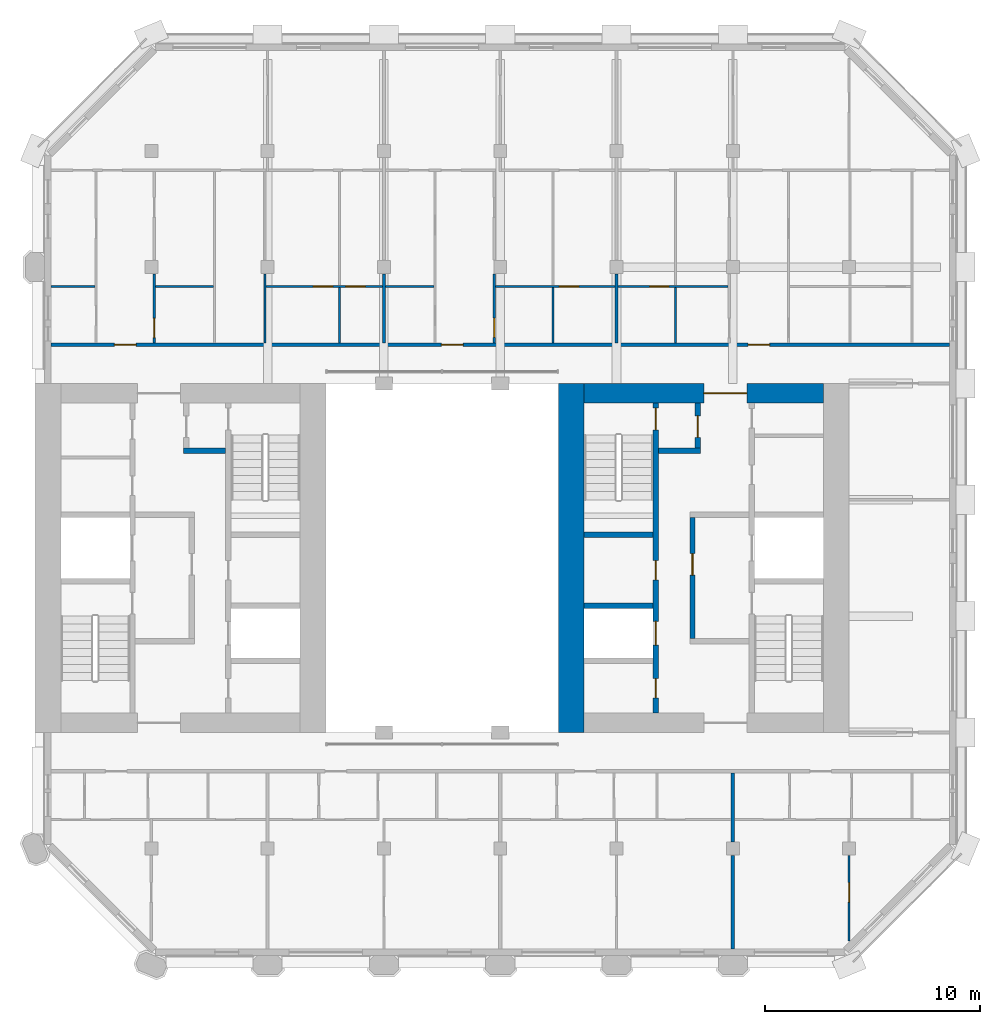
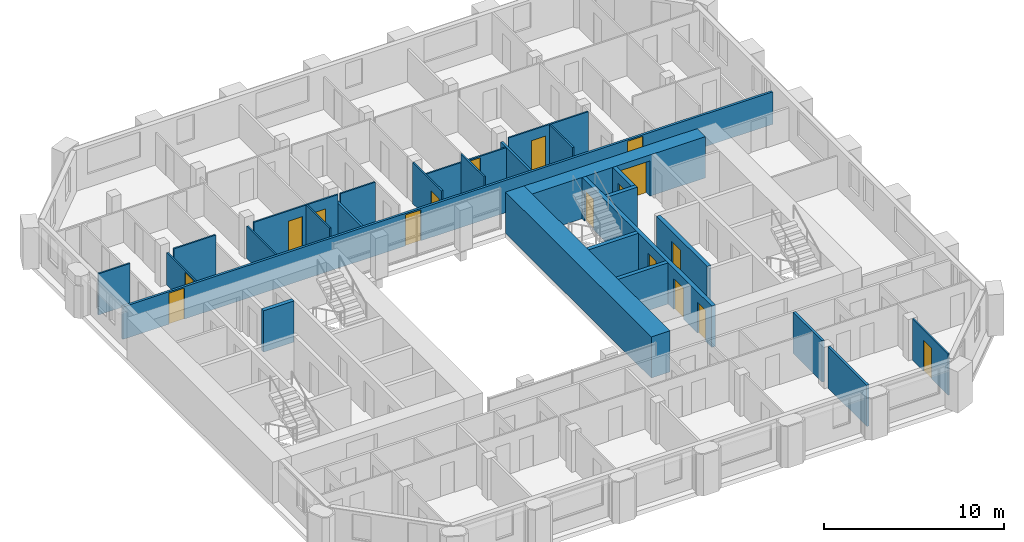
# One storey, part 6 of 13: 27 walls, 17 doors, 17 openings.
"""IFC4 building model written with IfcOpenShell, lengths in metres."""

from ifc_helpers import new_model, si_unit, direction, frame, frame_2d, origin, place, context, subcontext, project, spatial, rectangle, extrude, material, layer, layer_set, type_object, element, fill, save


model = new_model("IFC4")

# Units and contexts
model_context = context("Model", 3, precision=1e-05, world=origin(), true_north=direction((0.0, 1.0)))
body_context = subcontext(model_context, "Body", "Model", "MODEL_VIEW")
ifc_project = project(units=[si_unit("LENGTHUNIT", "METRE"), si_unit("AREAUNIT", "SQUARE_METRE"), si_unit("VOLUMEUNIT", "CUBIC_METRE"), si_unit("PLANEANGLEUNIT", "RADIAN"), si_unit("MASSUNIT", "GRAM", prefix="KILO")], contexts=[model_context])

# Site, building, storey
site_placement = place(None, origin())
site = spatial("IfcSite", under=ifc_project, at=site_placement, CompositionType="ELEMENT")
building_placement = place(site_placement, origin())
building = spatial("IfcBuilding", under=site, at=building_placement, Name="Tabaq Tower and Sports Hall", CompositionType="ELEMENT")
storey_placement = place(building_placement, frame((0.0, 0.0, 304.89990234375)))
storey = spatial("IfcBuildingStorey", under=building, at=storey_placement, Name="L76", CompositionType="ELEMENT", Elevation=304.89990234375)

# Wall
ifc_material_1 = material(Name="Concrete C40/50", Category="concrete")
ifc_layer_1 = layer(ifc_material_1, 1.199951171875)
ifc_layer_set_1 = layer_set([ifc_layer_1], Name="Core wall 1200 Concrete C40/50")
wall_type_1 = type_object("IfcWallType", Name="Core wall 1200 Concrete C40/50", PredefinedType="SOLIDWALL", material=ifc_layer_set_1)
wall_1_placement = place(storey_placement, frame((30.300048828125, 16.199951171875, 0.0), z_axis=(0.0, 0.0, 1.0), x_axis=(0.0, 1.0, 0.0)))
element("IfcWall", 1, at=wall_1_placement, inside=storey, type_object=wall_type_1, Name="Core wall E L76", PredefinedType="SOLIDWALL", context=body_context, shape_type="SweptSolid", body=[
    extrude(rectangle(XDim=16.199951171875, YDim=1.199951171875, at=frame_2d((8.10009765625, 0.0))), origin(), (0.0, 0.0, 1.0), 2.800048828125),
])

# Wall, opening, door
ifc_material_2 = material(Name="Concrete C40/50", Category="concrete")
ifc_layer_2 = layer(ifc_material_2, 0.89990234375)
ifc_layer_set_2 = layer_set([ifc_layer_2], Name="Core wall 900 Concrete C40/50")
wall_type_2 = type_object("IfcWallType", Name="Core wall 900 Concrete C40/50", PredefinedType="SOLIDWALL", material=ifc_layer_set_2)
wall_2_placement = place(storey_placement, frame((30.89990234375, 31.949951171875, 0.0), z_axis=(0.0, 0.0, 1.0), x_axis=(1.0, 0.0, 0.0)))
wall_2 = element("IfcWall", 2, at=wall_2_placement, inside=storey, type_object=wall_type_2, Name="Core wall E L76", PredefinedType="SOLIDWALL", context=body_context, shape_type="SweptSolid", body=[
    extrude(rectangle(XDim=11.10009765625, YDim=0.89990234375, at=frame_2d((5.550048828125, 0.0))), origin(), (0.0, 0.0, 1.0), 2.800048828125),
])
opening_1_placement = place(wall_2_placement, frame((5.550048828125, 0.0, 0.0)))
opening_1 = element("IfcOpeningElement", 3, at=opening_1_placement, cuts=wall_2, Name="Opening PD-EL76-02", PredefinedType="OPENING", context=body_context, shape_type="SweptSolid", body=[
    extrude(rectangle(XDim=2.0, YDim=2.39990234375, at=frame_2d((1.0, 1.199951171875))), frame((0.0, 0.449951171875, 0.0), z_axis=(0.0, -1.0, 0.0), x_axis=(1.0, 0.0, 0.0)), (0.0, 0.0, 1.0), 0.89990234375),
])
ifc_material_3 = material(Name="Steel fire door", Category="steel")
door_type_1 = type_object("IfcDoorType", Name="Core entrance door 2000", OperationType="DOUBLE_DOOR_SINGLE_SWING", PredefinedType="DOOR", material=ifc_material_3)
door_1_placement = place(opening_1_placement, origin())
door_1 = element("IfcDoor", 4, at=door_1_placement, inside=storey, type_object=door_type_1, Name="Core entrance north E L76", OperationType="DOUBLE_DOOR_SINGLE_SWING", OverallHeight=2.39990234375, OverallWidth=2.0, PredefinedType="DOOR", context=body_context, shape_type="SweptSolid", body=[
    extrude(rectangle(XDim=2.0, YDim=2.39990234375, at=frame_2d((1.0, 1.199951171875))), frame((0.0, 0.02490234375, 0.0), z_axis=(0.0, -1.0, 0.0), x_axis=(1.0, 0.0, 0.0)), (0.0, 0.0, 1.0), 0.050048828125),
])
fill(opening_1, door_1)

# Wall
ifc_material_4 = material(Name="Gypsum board on steel studs", Category="steel")
ifc_layer_3 = layer(ifc_material_4, 0.10009765625)
ifc_layer_set_3 = layer_set([ifc_layer_3], Name="Partition 100 Gypsum board")
wall_type_3 = type_object("IfcWallType", Name="Partition 100 Gypsum board", PredefinedType="PARTITIONING", material=ifc_layer_set_3)
wall_3_placement = place(storey_placement, frame((6.15087890625, 36.89990234375, 0.0), z_axis=(0.0, 0.0, 1.0), x_axis=(1.0, 0.0, 0.0)))
element("IfcWall", 5, at=wall_3_placement, inside=storey, type_object=wall_type_3, Name="Partition wall L76", PredefinedType="PARTITIONING", context=body_context, shape_type="SweptSolid", body=[
    extrude(rectangle(XDim=2.0390625, YDim=0.10009765625, at=frame_2d((1.01953125, 0.0))), origin(), (0.0, 0.0, 1.0), 2.800048828125),
])

# Wall, opening, door
wall_4_placement = place(storey_placement, frame((10.93994140625, 34.27490234375, 0.0), z_axis=(0.0, 0.0, 1.0), x_axis=(0.0, 1.0, 0.0)))
wall_4 = element("IfcWall", 6, at=wall_4_placement, inside=storey, type_object=wall_type_3, Name="Partition wall L76", PredefinedType="PARTITIONING", context=body_context, shape_type="SweptSolid", body=[
    extrude(rectangle(XDim=3.205078125, YDim=0.10009765625, at=frame_2d((1.6025390625, 0.0))), origin(), (0.0, 0.0, 1.0), 2.2001953125),
])
opening_2_placement = place(wall_4_placement, frame((0.25, 0.0, 0.0)))
opening_2 = element("IfcOpeningElement", 7, at=opening_2_placement, cuts=wall_4, Name="Opening L76-004", PredefinedType="OPENING", context=body_context, shape_type="SweptSolid", body=[
    extrude(rectangle(XDim=0.89990234375, YDim=2.10009765625, at=frame_2d((0.449951171875, 1.050048828125))), frame((0.0, 0.050048828125, 0.0), z_axis=(0.0, -1.0, 0.0), x_axis=(1.0, 0.0, 0.0)), (0.0, 0.0, 1.0), 0.10009765625),
])
ifc_material_5 = material(Name="Timber leaf in steel frame", Category="steel")
door_type_2 = type_object("IfcDoorType", Name="Internal door 900 right hand", OperationType="SINGLE_SWING_RIGHT", PredefinedType="DOOR", material=ifc_material_5)
door_2_placement = place(opening_2_placement, origin())
door_2 = element("IfcDoor", 8, at=door_2_placement, inside=storey, type_object=door_type_2, Name="Internal door L76-004", OperationType="SINGLE_SWING_RIGHT", OverallHeight=2.10009765625, OverallWidth=0.89990234375, PredefinedType="DOOR", context=body_context, shape_type="SweptSolid", body=[
    extrude(rectangle(XDim=0.89990234375, YDim=2.10009765625, at=frame_2d((0.449951171875, 1.050048828125))), frame((0.0, 0.02490234375, 0.0), z_axis=(0.0, -1.0, 0.0), x_axis=(1.0, 0.0, 0.0)), (0.0, 0.0, 1.0), 0.050048828125),
])
fill(opening_2, door_2)

# Walls
wall_5_placement = place(storey_placement, frame((10.989990234375, 36.89990234375, 0.0), z_axis=(0.0, 0.0, 1.0), x_axis=(1.0, 0.0, 0.0)))
element("IfcWall", 9, at=wall_5_placement, inside=storey, type_object=wall_type_3, Name="Partition wall L76", PredefinedType="PARTITIONING", context=body_context, shape_type="SweptSolid", body=[
    extrude(rectangle(XDim=2.699951171875, YDim=0.10009765625, at=frame_2d((1.35009765625, 0.0))), origin(), (0.0, 0.0, 1.0), 2.800048828125),
])
wall_6_placement = place(storey_placement, frame((16.080078125, 34.27490234375, 0.0), z_axis=(0.0, 0.0, 1.0), x_axis=(0.0, 1.0, 0.0)))
element("IfcWall", 10, at=wall_6_placement, inside=storey, type_object=wall_type_3, Name="Partition wall L76", PredefinedType="PARTITIONING", context=body_context, shape_type="SweptSolid", body=[
    extrude(rectangle(XDim=3.205078125, YDim=0.10009765625, at=frame_2d((1.6025390625, 0.0))), origin(), (0.0, 0.0, 1.0), 2.2001953125),
])
wall_7_placement = place(storey_placement, frame((19.530029296875, 34.27490234375, 0.0), z_axis=(0.0, 0.0, 1.0), x_axis=(0.0, 1.0, 0.0)))
element("IfcWall", 11, at=wall_7_placement, inside=storey, type_object=wall_type_3, Name="Partition wall L76", PredefinedType="PARTITIONING", context=body_context, shape_type="SweptSolid", body=[
    extrude(rectangle(XDim=2.5751953125, YDim=0.10009765625, at=frame_2d((1.28759765625, 0.0))), origin(), (0.0, 0.0, 1.0), 2.800048828125),
])

# Wall, openings, doors
wall_8_placement = place(storey_placement, frame((16.1298828125, 36.89990234375, 0.0), z_axis=(0.0, 0.0, 1.0), x_axis=(1.0, 0.0, 0.0)))
wall_8 = element("IfcWall", 12, at=wall_8_placement, inside=storey, type_object=wall_type_3, Name="Partition wall L76", PredefinedType="PARTITIONING", context=body_context, shape_type="SweptSolid", body=[
    extrude(rectangle(XDim=5.39501953125, YDim=0.10009765625, at=frame_2d((2.697509765625, 0.0))), origin(), (0.0, 0.0, 1.0), 2.800048828125),
])
opening_3_placement = place(wall_8_placement, frame((2.199951171875, 0.0, 0.0)))
opening_3 = element("IfcOpeningElement", 13, at=opening_3_placement, cuts=wall_8, Name="Opening L76-005", PredefinedType="OPENING", context=body_context, shape_type="SweptSolid", body=[
    extrude(rectangle(XDim=0.89990234375, YDim=2.10009765625, at=frame_2d((0.449951171875, 1.050048828125))), frame((0.0, 0.050048828125, 0.0), z_axis=(0.0, -1.0, 0.0), x_axis=(1.0, 0.0, 0.0)), (0.0, 0.0, 1.0), 0.10009765625),
])
opening_4_placement = place(wall_8_placement, frame((3.699951171875, 0.0, 0.0)))
opening_4 = element("IfcOpeningElement", 14, at=opening_4_placement, cuts=wall_8, Name="Opening L76-006", PredefinedType="OPENING", context=body_context, shape_type="SweptSolid", body=[
    extrude(rectangle(XDim=0.89990234375, YDim=2.10009765625, at=frame_2d((0.449951171875, 1.050048828125))), frame((0.0, 0.050048828125, 0.0), z_axis=(0.0, -1.0, 0.0), x_axis=(1.0, 0.0, 0.0)), (0.0, 0.0, 1.0), 0.10009765625),
])
ifc_material_6 = material(Name="Timber leaf in steel frame", Category="steel")
door_type_3 = type_object("IfcDoorType", Name="Internal door 900 left hand", OperationType="SINGLE_SWING_LEFT", PredefinedType="DOOR", material=ifc_material_6)
door_3_placement = place(opening_3_placement, origin())
door_3 = element("IfcDoor", 15, at=door_3_placement, inside=storey, type_object=door_type_3, Name="Internal door L76-005", OperationType="SINGLE_SWING_LEFT", OverallHeight=2.10009765625, OverallWidth=0.89990234375, PredefinedType="DOOR", context=body_context, shape_type="SweptSolid", body=[
    extrude(rectangle(XDim=0.89990234375, YDim=2.10009765625, at=frame_2d((0.449951171875, 1.050048828125))), frame((0.0, 0.02490234375, 0.0), z_axis=(0.0, -1.0, 0.0), x_axis=(1.0, 0.0, 0.0)), (0.0, 0.0, 1.0), 0.050048828125),
])
fill(opening_3, door_3)
door_4_placement = place(opening_4_placement, origin())
door_4 = element("IfcDoor", 16, at=door_4_placement, inside=storey, type_object=door_type_3, Name="Internal door L76-006", OperationType="SINGLE_SWING_LEFT", OverallHeight=2.10009765625, OverallWidth=0.89990234375, PredefinedType="DOOR", context=body_context, shape_type="SweptSolid", body=[
    extrude(rectangle(XDim=0.89990234375, YDim=2.10009765625, at=frame_2d((0.449951171875, 1.050048828125))), frame((0.0, 0.02490234375, 0.0), z_axis=(0.0, -1.0, 0.0), x_axis=(1.0, 0.0, 0.0)), (0.0, 0.0, 1.0), 0.050048828125),
])
fill(opening_4, door_4)

# Wall
wall_9_placement = place(storey_placement, frame((21.675048828125, 36.89990234375, 0.0), z_axis=(0.0, 0.0, 1.0), x_axis=(1.0, 0.0, 0.0)))
element("IfcWall", 17, at=wall_9_placement, inside=storey, type_object=wall_type_3, Name="Partition wall L76", PredefinedType="PARTITIONING", context=body_context, shape_type="SweptSolid", body=[
    extrude(rectangle(XDim=2.2470703125, YDim=0.10009765625, at=frame_2d((1.12353515625, 0.0))), origin(), (0.0, 0.0, 1.0), 2.800048828125),
])

# Wall, opening, door
wall_10_placement = place(storey_placement, frame((26.721923828125, 34.27490234375, 0.0), z_axis=(0.0, 0.0, 1.0), x_axis=(0.0, 1.0, 0.0)))
wall_10 = element("IfcWall", 18, at=wall_10_placement, inside=storey, type_object=wall_type_3, Name="Partition wall L76", PredefinedType="PARTITIONING", context=body_context, shape_type="SweptSolid", body=[
    extrude(rectangle(XDim=3.205078125, YDim=0.10009765625, at=frame_2d((1.6025390625, 0.0))), origin(), (0.0, 0.0, 1.0), 2.800048828125),
])
opening_5_placement = place(wall_10_placement, frame((0.262451171875, 0.0, 0.0)))
opening_5 = element("IfcOpeningElement", 19, at=opening_5_placement, cuts=wall_10, Name="Opening L76-009", PredefinedType="OPENING", context=body_context, shape_type="SweptSolid", body=[
    extrude(rectangle(XDim=0.89990234375, YDim=2.10009765625, at=frame_2d((0.449951171875, 1.050048828125))), frame((0.0, 0.050048828125, 0.0), z_axis=(0.0, -1.0, 0.0), x_axis=(1.0, 0.0, 0.0)), (0.0, 0.0, 1.0), 0.10009765625),
])
door_5_placement = place(opening_5_placement, origin())
door_5 = element("IfcDoor", 20, at=door_5_placement, inside=storey, type_object=door_type_3, Name="Internal door L76-009", OperationType="SINGLE_SWING_LEFT", OverallHeight=2.10009765625, OverallWidth=0.89990234375, PredefinedType="DOOR", context=body_context, shape_type="SweptSolid", body=[
    extrude(rectangle(XDim=0.89990234375, YDim=2.10009765625, at=frame_2d((0.449951171875, 1.050048828125))), frame((0.0, 0.02490234375, 0.0), z_axis=(0.0, -1.0, 0.0), x_axis=(1.0, 0.0, 0.0)), (0.0, 0.0, 1.0), 0.050048828125),
])
fill(opening_5, door_5)

# Wall
wall_11_placement = place(storey_placement, frame((29.449951171875, 34.27490234375, 0.0), z_axis=(0.0, 0.0, 1.0), x_axis=(0.0, 1.0, 0.0)))
element("IfcWall", 21, at=wall_11_placement, inside=storey, type_object=wall_type_3, Name="Partition wall L76", PredefinedType="PARTITIONING", context=body_context, shape_type="SweptSolid", body=[
    extrude(rectangle(XDim=2.5751953125, YDim=0.10009765625, at=frame_2d((1.28759765625, 0.0))), origin(), (0.0, 0.0, 1.0), 2.800048828125),
])

# Wall, opening, door
wall_12_placement = place(storey_placement, frame((26.77197265625, 36.89990234375, 0.0), z_axis=(0.0, 0.0, 1.0), x_axis=(1.0, 0.0, 0.0)))
wall_12 = element("IfcWall", 22, at=wall_12_placement, inside=storey, type_object=wall_type_3, Name="Partition wall L76", PredefinedType="PARTITIONING", context=body_context, shape_type="SweptSolid", body=[
    extrude(rectangle(XDim=5.552978515625, YDim=0.10009765625, at=frame_2d((2.7763671875, 0.0))), origin(), (0.0, 0.0, 1.0), 2.2001953125),
])
opening_6_placement = place(wall_12_placement, frame((2.97802734375, 0.0, 0.0)))
opening_6 = element("IfcOpeningElement", 23, at=opening_6_placement, cuts=wall_12, Name="Opening L76-010", PredefinedType="OPENING", context=body_context, shape_type="SweptSolid", body=[
    extrude(rectangle(XDim=0.89990234375, YDim=2.10009765625, at=frame_2d((0.449951171875, 1.050048828125))), frame((0.0, 0.050048828125, 0.0), z_axis=(0.0, -1.0, 0.0), x_axis=(1.0, 0.0, 0.0)), (0.0, 0.0, 1.0), 0.10009765625),
])
door_6_placement = place(opening_6_placement, origin())
door_6 = element("IfcDoor", 24, at=door_6_placement, inside=storey, type_object=door_type_3, Name="Internal door L76-010", OperationType="SINGLE_SWING_LEFT", OverallHeight=2.10009765625, OverallWidth=0.89990234375, PredefinedType="DOOR", context=body_context, shape_type="SweptSolid", body=[
    extrude(rectangle(XDim=0.89990234375, YDim=2.10009765625, at=frame_2d((0.449951171875, 1.050048828125))), frame((0.0, 0.02490234375, 0.0), z_axis=(0.0, -1.0, 0.0), x_axis=(1.0, 0.0, 0.0)), (0.0, 0.0, 1.0), 0.050048828125),
])
fill(opening_6, door_6)

# Wall
wall_13_placement = place(storey_placement, frame((35.135009765625, 34.27490234375, 0.0), z_axis=(0.0, 0.0, 1.0), x_axis=(0.0, 1.0, 0.0)))
element("IfcWall", 25, at=wall_13_placement, inside=storey, type_object=wall_type_3, Name="Partition wall L76", PredefinedType="PARTITIONING", context=body_context, shape_type="SweptSolid", body=[
    extrude(rectangle(XDim=2.5751953125, YDim=0.10009765625, at=frame_2d((1.28759765625, 0.0))), origin(), (0.0, 0.0, 1.0), 2.800048828125),
])

# Wall, opening, door
wall_14_placement = place(storey_placement, frame((32.47509765625, 36.89990234375, 0.0), z_axis=(0.0, 0.0, 1.0), x_axis=(1.0, 0.0, 0.0)))
wall_14 = element("IfcWall", 26, at=wall_14_placement, inside=storey, type_object=wall_type_3, Name="Partition wall L76", PredefinedType="PARTITIONING", context=body_context, shape_type="SweptSolid", body=[
    extrude(rectangle(XDim=5.10986328125, YDim=0.10009765625, at=frame_2d((2.554931640625, 0.0))), origin(), (0.0, 0.0, 1.0), 2.800048828125),
])
opening_7_placement = place(wall_14_placement, frame((1.4599609375, 0.0, 0.0)))
opening_7 = element("IfcOpeningElement", 27, at=opening_7_placement, cuts=wall_14, Name="Opening L76-012", PredefinedType="OPENING", context=body_context, shape_type="SweptSolid", body=[
    extrude(rectangle(XDim=0.89990234375, YDim=2.10009765625, at=frame_2d((0.449951171875, 1.050048828125))), frame((0.0, 0.050048828125, 0.0), z_axis=(0.0, -1.0, 0.0), x_axis=(1.0, 0.0, 0.0)), (0.0, 0.0, 1.0), 0.10009765625),
])
door_7_placement = place(opening_7_placement, origin())
door_7 = element("IfcDoor", 28, at=door_7_placement, inside=storey, type_object=door_type_3, Name="Internal door L76-012", OperationType="SINGLE_SWING_LEFT", OverallHeight=2.10009765625, OverallWidth=0.89990234375, PredefinedType="DOOR", context=body_context, shape_type="SweptSolid", body=[
    extrude(rectangle(XDim=0.89990234375, YDim=2.10009765625, at=frame_2d((0.449951171875, 1.050048828125))), frame((0.0, 0.02490234375, 0.0), z_axis=(0.0, -1.0, 0.0), x_axis=(1.0, 0.0, 0.0)), (0.0, 0.0, 1.0), 0.050048828125),
])
fill(opening_7, door_7)

wall_15_placement = place(storey_placement, frame((43.199951171875, 6.51220703125, 0.0), z_axis=(0.0, 0.0, 1.0), x_axis=(0.0, 1.0, 0.0)))
wall_15 = element("IfcWall", 29, at=wall_15_placement, inside=storey, type_object=wall_type_3, Name="Partition wall L76", PredefinedType="PARTITIONING", context=body_context, shape_type="SweptSolid", body=[
    extrude(rectangle(XDim=3.9677734375, YDim=0.10009765625, at=frame_2d((1.98388671875, 0.0))), origin(), (0.0, 0.0, 1.0), 2.800048828125),
])
opening_8_placement = place(wall_15_placement, frame((1.81298828125, 0.0, 0.0)))
opening_8 = element("IfcOpeningElement", 30, at=opening_8_placement, cuts=wall_15, Name="Opening L76-048", PredefinedType="OPENING", context=body_context, shape_type="SweptSolid", body=[
    extrude(rectangle(XDim=0.89990234375, YDim=2.10009765625, at=frame_2d((0.449951171875, 1.050048828125))), frame((0.0, 0.050048828125, 0.0), z_axis=(0.0, -1.0, 0.0), x_axis=(1.0, 0.0, 0.0)), (0.0, 0.0, 1.0), 0.10009765625),
])
door_8_placement = place(opening_8_placement, origin())
door_8 = element("IfcDoor", 31, at=door_8_placement, inside=storey, type_object=door_type_3, Name="Internal door L76-048", OperationType="SINGLE_SWING_LEFT", OverallHeight=2.10009765625, OverallWidth=0.89990234375, PredefinedType="DOOR", context=body_context, shape_type="SweptSolid", body=[
    extrude(rectangle(XDim=0.89990234375, YDim=2.10009765625, at=frame_2d((0.449951171875, 1.050048828125))), frame((0.0, 0.02490234375, 0.0), z_axis=(0.0, -1.0, 0.0), x_axis=(1.0, 0.0, 0.0)), (0.0, 0.0, 1.0), 0.050048828125),
])
fill(opening_8, door_8)

# Walls
ifc_material_7 = material(Name="Blockwork", Category="masonry")
ifc_layer_4 = layer(ifc_material_7, 0.14990234375)
ifc_layer_set_4 = layer_set([ifc_layer_4], Name="Separating wall 150 Blockwork")
wall_type_4 = type_object("IfcWallType", Name="Separating wall 150 Blockwork", PredefinedType="PARTITIONING", material=ifc_layer_set_4)
for number, where, z_axis, x_axis, name in (
    (32, (21.60009765625, 34.27490234375, 0.0), (0.0, 0.0, 1.0), (0.0, 1.0, 0.0), "Separating wall L76"),
    (33, (32.39990234375, 34.27490234375, 0.0), (0.0, 0.0, 1.0), (0.0, 1.0, 0.0), "Separating wall L76"),
):
    element("IfcWall", number, at=place(storey_placement, frame(where, z_axis=z_axis, x_axis=x_axis)), inside=storey, type_object=wall_type_4, Name=name, PredefinedType="PARTITIONING", context=body_context, shape_type="SweptSolid", body=[
        extrude(rectangle(XDim=3.205078125, YDim=0.14990234375, at=frame_2d((1.6025390625, 0.0))), origin(), (0.0, 0.0, 1.0), 2.2001953125),
    ])

# Wall, openings, doors
wall_16_placement = place(storey_placement, frame((6.15087890625, 34.199951171875, 0.0), z_axis=(0.0, 0.0, 1.0), x_axis=(1.0, 0.0, 0.0)))
wall_16 = element("IfcWall", 34, at=wall_16_placement, inside=storey, type_object=wall_type_4, Name="Separating wall L76", PredefinedType="PARTITIONING", context=body_context, shape_type="SweptSolid", body=[
    extrude(rectangle(XDim=41.6982421875, YDim=0.14990234375, at=frame_2d((20.84912109375, 0.0))), origin(), (0.0, 0.0, 1.0), 2.2001953125),
])
opening_9_placement = place(wall_16_placement, frame((2.93896484375, 0.0, 0.0)))
opening_9 = element("IfcOpeningElement", 35, at=opening_9_placement, cuts=wall_16, Name="Opening L76-064", PredefinedType="OPENING", context=body_context, shape_type="SweptSolid", body=[
    extrude(rectangle(XDim=1.0, YDim=2.10009765625, at=frame_2d((0.5, 1.050048828125))), frame((0.0, 0.074951171875, 0.0), z_axis=(0.0, -1.0, 0.0), x_axis=(1.0, 0.0, 0.0)), (0.0, 0.0, 1.0), 0.14990234375),
])
opening_10_placement = place(wall_16_placement, frame((18.12109375, 0.0, 0.0)))
opening_10 = element("IfcOpeningElement", 36, at=opening_10_placement, cuts=wall_16, Name="Opening L76-065", PredefinedType="OPENING", context=body_context, shape_type="SweptSolid", body=[
    extrude(rectangle(XDim=1.0, YDim=2.10009765625, at=frame_2d((0.5, 1.050048828125))), frame((0.0, 0.074951171875, 0.0), z_axis=(0.0, -1.0, 0.0), x_axis=(1.0, 0.0, 0.0)), (0.0, 0.0, 1.0), 0.14990234375),
])
opening_11_placement = place(wall_16_placement, frame((32.35888671875, 0.0, 0.0)))
opening_11 = element("IfcOpeningElement", 37, at=opening_11_placement, cuts=wall_16, Name="Opening L76-066", PredefinedType="OPENING", context=body_context, shape_type="SweptSolid", body=[
    extrude(rectangle(XDim=1.0, YDim=2.10009765625, at=frame_2d((0.5, 1.050048828125))), frame((0.0, 0.074951171875, 0.0), z_axis=(0.0, -1.0, 0.0), x_axis=(1.0, 0.0, 0.0)), (0.0, 0.0, 1.0), 0.14990234375),
])
ifc_material_8 = material(Name="Steel fire door", Category="steel")
door_type_4 = type_object("IfcDoorType", Name="Entrance door 1000 left hand", OperationType="SINGLE_SWING_LEFT", PredefinedType="DOOR", material=ifc_material_8)
door_9_placement = place(opening_9_placement, origin())
door_9 = element("IfcDoor", 38, at=door_9_placement, inside=storey, type_object=door_type_4, Name="Entrance door L76-064", OperationType="SINGLE_SWING_LEFT", OverallHeight=2.10009765625, OverallWidth=1.0, PredefinedType="DOOR", context=body_context, shape_type="SweptSolid", body=[
    extrude(rectangle(XDim=1.0, YDim=2.10009765625, at=frame_2d((0.5, 1.050048828125))), frame((0.0, 0.02490234375, 0.0), z_axis=(0.0, -1.0, 0.0), x_axis=(1.0, 0.0, 0.0)), (0.0, 0.0, 1.0), 0.050048828125),
])
fill(opening_9, door_9)
door_10_placement = place(opening_10_placement, origin())
door_10 = element("IfcDoor", 39, at=door_10_placement, inside=storey, type_object=door_type_4, Name="Entrance door L76-065", OperationType="SINGLE_SWING_LEFT", OverallHeight=2.10009765625, OverallWidth=1.0, PredefinedType="DOOR", context=body_context, shape_type="SweptSolid", body=[
    extrude(rectangle(XDim=1.0, YDim=2.10009765625, at=frame_2d((0.5, 1.050048828125))), frame((0.0, 0.02490234375, 0.0), z_axis=(0.0, -1.0, 0.0), x_axis=(1.0, 0.0, 0.0)), (0.0, 0.0, 1.0), 0.050048828125),
])
fill(opening_10, door_10)
door_11_placement = place(opening_11_placement, origin())
door_11 = element("IfcDoor", 40, at=door_11_placement, inside=storey, type_object=door_type_4, Name="Entrance door L76-066", OperationType="SINGLE_SWING_LEFT", OverallHeight=2.10009765625, OverallWidth=1.0, PredefinedType="DOOR", context=body_context, shape_type="SweptSolid", body=[
    extrude(rectangle(XDim=1.0, YDim=2.10009765625, at=frame_2d((0.5, 1.050048828125))), frame((0.0, 0.02490234375, 0.0), z_axis=(0.0, -1.0, 0.0), x_axis=(1.0, 0.0, 0.0)), (0.0, 0.0, 1.0), 0.050048828125),
])
fill(opening_11, door_11)

# Walls
wall_17_placement = place(storey_placement, frame((37.800048828125, 6.15087890625, 0.0), z_axis=(0.0, 0.0, 1.0), x_axis=(0.0, 1.0, 0.0)))
element("IfcWall", 41, at=wall_17_placement, inside=storey, type_object=wall_type_4, Name="Separating wall L76", PredefinedType="PARTITIONING", context=body_context, shape_type="SweptSolid", body=[
    extrude(rectangle(XDim=4.3291015625, YDim=0.14990234375, at=frame_2d((2.16455078125, 0.0))), origin(), (0.0, 0.0, 1.0), 2.800048828125),
])
wall_18_placement = place(storey_placement, frame((37.800048828125, 11.1201171875, 0.0), z_axis=(0.0, 0.0, 1.0), x_axis=(0.0, 1.0, 0.0)))
element("IfcWall", 42, at=wall_18_placement, inside=storey, type_object=wall_type_4, Name="Separating wall L76", PredefinedType="PARTITIONING", context=body_context, shape_type="SweptSolid", body=[
    extrude(rectangle(XDim=3.204833984375, YDim=0.14990234375, at=frame_2d((1.6025390625, 0.0))), origin(), (0.0, 0.0, 1.0), 2.800048828125),
])
ifc_material_9 = material(Name="Concrete C40/50", Category="concrete")
ifc_layer_5 = layer(ifc_material_9, 0.25)
ifc_layer_set_5 = layer_set([ifc_layer_5], Name="Shaft and stair wall 250 Concrete C40/50")
wall_type_5 = type_object("IfcWallType", Name="Shaft and stair wall 250 Concrete C40/50", PredefinedType="SOLIDWALL", material=ifc_layer_set_5)
wall_19_placement = place(storey_placement, frame((12.300048828125, 29.27490234375, 0.0), z_axis=(0.0, 0.0, 1.0), x_axis=(1.0, 0.0, 0.0)))
element("IfcWall", 43, at=wall_19_placement, inside=storey, type_object=wall_type_5, Name="Fire-fighting lobby wall W L76", PredefinedType="SOLIDWALL", context=body_context, shape_type="SweptSolid", body=[
    extrude(rectangle(XDim=1.949951171875, YDim=0.25, at=frame_2d((0.97509765625, 0.0))), origin(), (0.0, 0.0, 1.0), 2.800048828125),
])

# Wall, openings, doors
wall_20_placement = place(storey_placement, frame((34.22509765625, 17.10009765625, 0.0), z_axis=(0.0, 0.0, 1.0), x_axis=(0.0, 1.0, 0.0)))
wall_20 = element("IfcWall", 44, at=wall_20_placement, inside=storey, type_object=wall_type_5, Name="Shaft wall E L76", PredefinedType="SOLIDWALL", context=body_context, shape_type="SweptSolid", body=[
    extrude(rectangle(XDim=14.39990234375, YDim=0.25, at=frame_2d((7.199951171875, 0.0))), origin(), (0.0, 0.0, 1.0), 2.800048828125),
])
opening_12_placement = place(wall_20_placement, frame((13.14990234375, 0.0, 0.0)))
opening_12 = element("IfcOpeningElement", 45, at=opening_12_placement, cuts=wall_20, Name="Opening SD-EL76-05", PredefinedType="OPENING", context=body_context, shape_type="SweptSolid", body=[
    extrude(rectangle(XDim=1.0, YDim=2.10009765625, at=frame_2d((0.5, 1.050048828125))), frame((0.0, 0.125, 0.0), z_axis=(0.0, -1.0, 0.0), x_axis=(1.0, 0.0, 0.0)), (0.0, 0.0, 1.0), 0.25),
])
opening_13_placement = place(wall_20_placement, frame((3.14990234375, 0.0, 0.0)))
opening_13 = element("IfcOpeningElement", 46, at=opening_13_placement, cuts=wall_20, Name="Opening LD-HR2-L76", PredefinedType="OPENING", context=body_context, shape_type="SweptSolid", body=[
    extrude(rectangle(XDim=1.10009765625, YDim=2.10009765625, at=frame_2d((0.550048828125, 1.050048828125))), frame((0.0, 0.125, 0.0), z_axis=(0.0, -1.0, 0.0), x_axis=(1.0, 0.0, 0.0)), (0.0, 0.0, 1.0), 0.25),
])
opening_14_placement = place(wall_20_placement, frame((0.699951171875, 0.0, 0.0)))
opening_14 = element("IfcOpeningElement", 47, at=opening_14_placement, cuts=wall_20, Name="Opening RD-EL76-11", PredefinedType="OPENING", context=body_context, shape_type="SweptSolid", body=[
    extrude(rectangle(XDim=0.89990234375, YDim=2.10009765625, at=frame_2d((0.449951171875, 1.050048828125))), frame((0.0, 0.125, 0.0), z_axis=(0.0, -1.0, 0.0), x_axis=(1.0, 0.0, 0.0)), (0.0, 0.0, 1.0), 0.25),
])
opening_15_placement = place(wall_20_placement, frame((6.175048828125, 0.0, 0.0)))
opening_15 = element("IfcOpeningElement", 48, at=opening_15_placement, cuts=wall_20, Name="Opening RD-EL76-12", PredefinedType="OPENING", context=body_context, shape_type="SweptSolid", body=[
    extrude(rectangle(XDim=0.89990234375, YDim=2.10009765625, at=frame_2d((0.449951171875, 1.050048828125))), frame((0.0, 0.125, 0.0), z_axis=(0.0, -1.0, 0.0), x_axis=(1.0, 0.0, 0.0)), (0.0, 0.0, 1.0), 0.25),
])
ifc_material_10 = material(Name="Steel fire door", Category="steel")
door_type_5 = type_object("IfcDoorType", Name="Core room door 900", OperationType="SINGLE_SWING_LEFT", PredefinedType="DOOR", material=ifc_material_10)
door_12_placement = place(opening_14_placement, origin())
door_12 = element("IfcDoor", 49, at=door_12_placement, inside=storey, type_object=door_type_5, Name="Door Electrical Riser Room E L76", OperationType="SINGLE_SWING_LEFT", OverallHeight=2.10009765625, OverallWidth=0.89990234375, PredefinedType="DOOR", context=body_context, shape_type="SweptSolid", body=[
    extrude(rectangle(XDim=0.89990234375, YDim=2.10009765625, at=frame_2d((0.449951171875, 1.050048828125))), frame((0.0, 0.02490234375, 0.0), z_axis=(0.0, -1.0, 0.0), x_axis=(1.0, 0.0, 0.0)), (0.0, 0.0, 1.0), 0.050048828125),
])
fill(opening_14, door_12)
door_13_placement = place(opening_15_placement, origin())
door_13 = element("IfcDoor", 50, at=door_13_placement, inside=storey, type_object=door_type_5, Name="Door Riser Room E L76", OperationType="SINGLE_SWING_LEFT", OverallHeight=2.10009765625, OverallWidth=0.89990234375, PredefinedType="DOOR", context=body_context, shape_type="SweptSolid", body=[
    extrude(rectangle(XDim=0.89990234375, YDim=2.10009765625, at=frame_2d((0.449951171875, 1.050048828125))), frame((0.0, 0.02490234375, 0.0), z_axis=(0.0, -1.0, 0.0), x_axis=(1.0, 0.0, 0.0)), (0.0, 0.0, 1.0), 0.050048828125),
])
fill(opening_15, door_13)
ifc_material_11 = material(Name="Stainless steel", Category="steel")
door_type_6 = type_object("IfcDoorType", Name="Lift landing door 1100", OperationType="DOUBLE_DOOR_SLIDING", PredefinedType="DOOR", material=ifc_material_11)
door_14_placement = place(opening_13_placement, origin())
door_14 = element("IfcDoor", 51, at=door_14_placement, inside=storey, type_object=door_type_6, Name="Lift landing door HR2 E L76", OperationType="DOUBLE_DOOR_SLIDING", OverallHeight=2.10009765625, OverallWidth=1.10009765625, PredefinedType="DOOR", context=body_context, shape_type="SweptSolid", body=[
    extrude(rectangle(XDim=1.10009765625, YDim=2.10009765625, at=frame_2d((0.550048828125, 1.050048828125))), frame((0.0, 0.02490234375, 0.0), z_axis=(0.0, -1.0, 0.0), x_axis=(1.0, 0.0, 0.0)), (0.0, 0.0, 1.0), 0.050048828125),
])
fill(opening_13, door_14)
ifc_material_12 = material(Name="Steel fire door", Category="steel")
door_type_7 = type_object("IfcDoorType", Name="Stair door 1000", OperationType="SINGLE_SWING_LEFT", PredefinedType="DOOR", material=ifc_material_12)
door_15_placement = place(opening_12_placement, origin())
door_15 = element("IfcDoor", 52, at=door_15_placement, inside=storey, type_object=door_type_7, Name="Stair door ST4 E L76", OperationType="SINGLE_SWING_LEFT", OverallHeight=2.10009765625, OverallWidth=1.0, PredefinedType="DOOR", context=body_context, shape_type="SweptSolid", body=[
    extrude(rectangle(XDim=1.0, YDim=2.10009765625, at=frame_2d((0.5, 1.050048828125))), frame((0.0, 0.02490234375, 0.0), z_axis=(0.0, -1.0, 0.0), x_axis=(1.0, 0.0, 0.0)), (0.0, 0.0, 1.0), 0.050048828125),
])
fill(opening_12, door_15)

# Walls
for number, where, z_axis, x_axis, name in (
    (53, (30.89990234375, 25.375, 0.0), (0.0, 0.0, 1.0), (1.0, 0.0, 0.0), "Stair enclosure wall E L76"),
    (54, (30.89990234375, 22.074951171875, 0.0), (0.0, 0.0, 1.0), (1.0, 0.0, 0.0), "Shaft wall E L76"),
):
    element("IfcWall", number, at=place(storey_placement, frame(where, z_axis=z_axis, x_axis=x_axis)), inside=storey, type_object=wall_type_5, Name=name, PredefinedType="SOLIDWALL", context=body_context, shape_type="SweptSolid", body=[
        extrude(rectangle(XDim=3.2001953125, YDim=0.25, at=frame_2d((1.60009765625, 0.0))), origin(), (0.0, 0.0, 1.0), 2.800048828125),
    ])

# Wall, opening, door
wall_21_placement = place(storey_placement, frame((36.175048828125, 29.39990234375, 0.0), z_axis=(0.0, 0.0, 1.0), x_axis=(0.0, 1.0, 0.0)))
wall_21 = element("IfcWall", 55, at=wall_21_placement, inside=storey, type_object=wall_type_5, Name="Fire-fighting lobby wall E L76", PredefinedType="SOLIDWALL", context=body_context, shape_type="SweptSolid", body=[
    extrude(rectangle(XDim=2.10009765625, YDim=0.25, at=frame_2d((1.050048828125, 0.0))), origin(), (0.0, 0.0, 1.0), 2.800048828125),
])
opening_16_placement = place(wall_21_placement, frame((0.5, 0.0, 0.0)))
opening_16 = element("IfcOpeningElement", 56, at=opening_16_placement, cuts=wall_21, Name="Opening FD-EL76-06", PredefinedType="OPENING", context=body_context, shape_type="SweptSolid", body=[
    extrude(rectangle(XDim=1.0, YDim=2.10009765625, at=frame_2d((0.5, 1.050048828125))), frame((0.0, 0.125, 0.0), z_axis=(0.0, -1.0, 0.0), x_axis=(1.0, 0.0, 0.0)), (0.0, 0.0, 1.0), 0.25),
])
ifc_material_13 = material(Name="Steel fire door", Category="steel")
door_type_8 = type_object("IfcDoorType", Name="Fire-fighting lobby door 1000", OperationType="SINGLE_SWING_LEFT", PredefinedType="DOOR", material=ifc_material_13)
door_16_placement = place(opening_16_placement, origin())
door_16 = element("IfcDoor", 57, at=door_16_placement, inside=storey, type_object=door_type_8, Name="Stair lobby door E L76", OperationType="SINGLE_SWING_LEFT", OverallHeight=2.10009765625, OverallWidth=1.0, PredefinedType="DOOR", context=body_context, shape_type="SweptSolid", body=[
    extrude(rectangle(XDim=1.0, YDim=2.10009765625, at=frame_2d((0.5, 1.050048828125))), frame((0.0, 0.02490234375, 0.0), z_axis=(0.0, -1.0, 0.0), x_axis=(1.0, 0.0, 0.0)), (0.0, 0.0, 1.0), 0.050048828125),
])
fill(opening_16, door_16)

# Wall
wall_22_placement = place(storey_placement, frame((34.35009765625, 29.27490234375, 0.0), z_axis=(0.0, 0.0, 1.0), x_axis=(1.0, 0.0, 0.0)))
element("IfcWall", 58, at=wall_22_placement, inside=storey, type_object=wall_type_5, Name="Fire-fighting lobby wall E L76", PredefinedType="SOLIDWALL", context=body_context, shape_type="SweptSolid", body=[
    extrude(rectangle(XDim=1.949951171875, YDim=0.25, at=frame_2d((0.97509765625, 0.0))), origin(), (0.0, 0.0, 1.0), 2.800048828125),
])

# Wall, opening, door
wall_23_placement = place(storey_placement, frame((35.925048828125, 20.550048828125, 0.0), z_axis=(0.0, 0.0, 1.0), x_axis=(0.0, 1.0, 0.0)))
wall_23 = element("IfcWall", 59, at=wall_23_placement, inside=storey, type_object=wall_type_5, Name="Fire-fighting lobby wall E L76", PredefinedType="SOLIDWALL", context=body_context, shape_type="SweptSolid", body=[
    extrude(rectangle(XDim=5.625, YDim=0.25, at=frame_2d((2.8125, 0.0))), origin(), (0.0, 0.0, 1.0), 2.800048828125),
])
opening_17_placement = place(wall_23_placement, frame((2.949951171875, 0.0, 0.0)))
opening_17 = element("IfcOpeningElement", 60, at=opening_17_placement, cuts=wall_23, Name="Opening FD-EL76-04", PredefinedType="OPENING", context=body_context, shape_type="SweptSolid", body=[
    extrude(rectangle(XDim=1.0, YDim=2.10009765625, at=frame_2d((0.5, 1.050048828125))), frame((0.0, 0.125, 0.0), z_axis=(0.0, -1.0, 0.0), x_axis=(1.0, 0.0, 0.0)), (0.0, 0.0, 1.0), 0.25),
])
door_17_placement = place(opening_17_placement, origin())
door_17 = element("IfcDoor", 61, at=door_17_placement, inside=storey, type_object=door_type_8, Name="Fire-fighting lobby door E L76", OperationType="SINGLE_SWING_LEFT", OverallHeight=2.10009765625, OverallWidth=1.0, PredefinedType="DOOR", context=body_context, shape_type="SweptSolid", body=[
    extrude(rectangle(XDim=1.0, YDim=2.10009765625, at=frame_2d((0.5, 1.050048828125))), frame((0.0, 0.02490234375, 0.0), z_axis=(0.0, -1.0, 0.0), x_axis=(1.0, 0.0, 0.0)), (0.0, 0.0, 1.0), 0.050048828125),
])
fill(opening_17, door_17)

save(model, "model.ifc")
